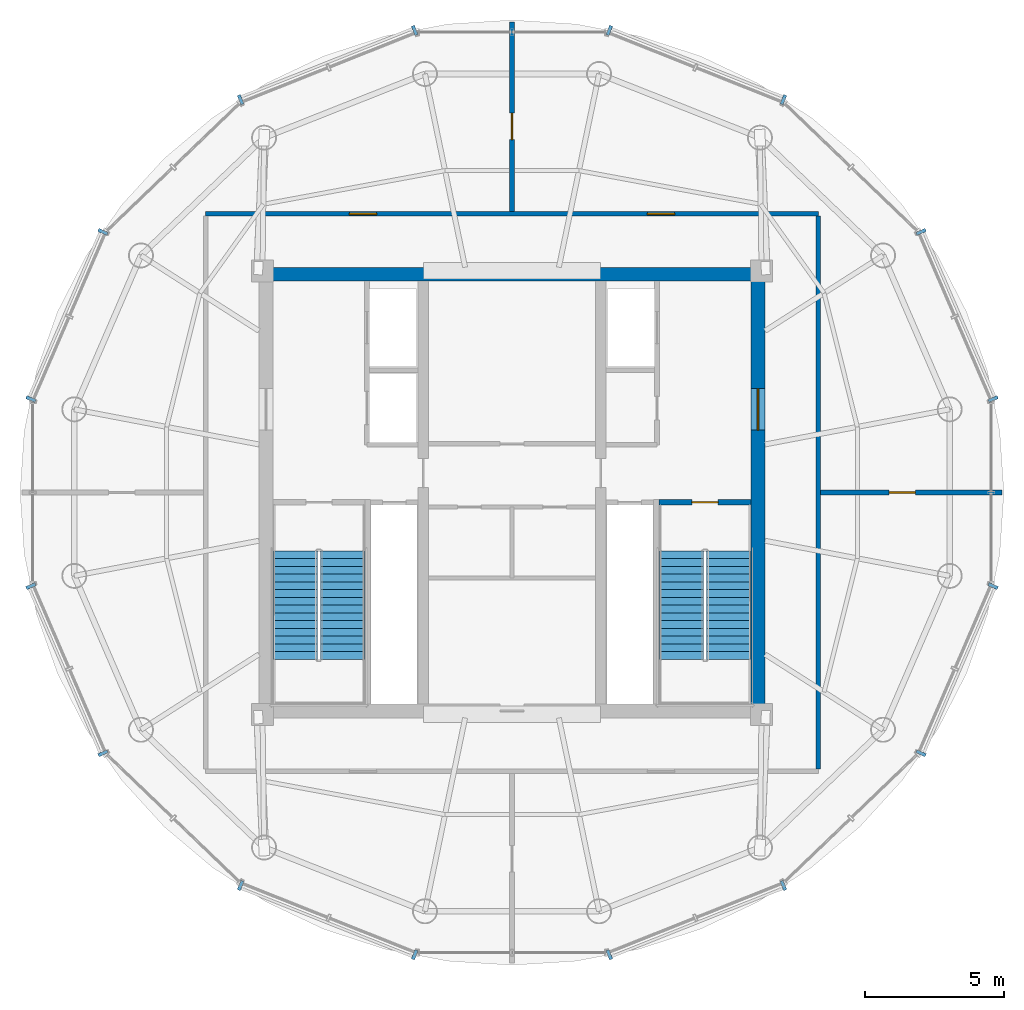
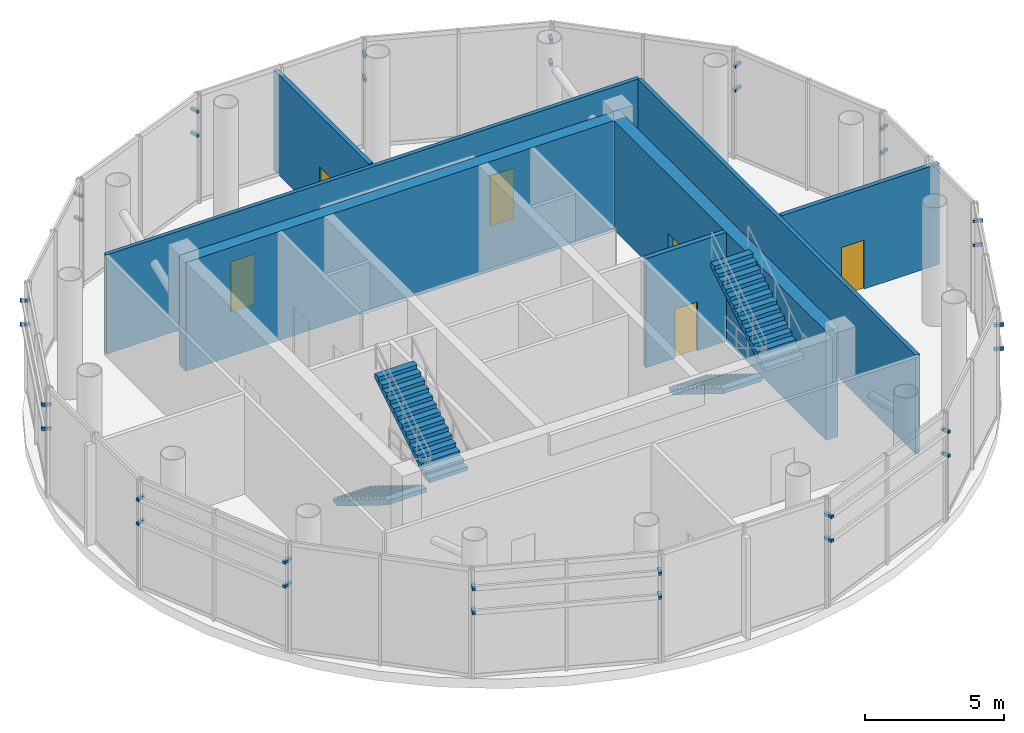
# One storey, part 13 of 15: 32 discrete accessories, 7 walls, 6 doors, 4 stair flights, 6 openings, 2 elements without a shape of their own.
"""IFC4 building model written with IfcOpenShell, lengths in metres."""

from ifc_helpers import new_model, si_unit, direction, frame, frame_2d, origin, origin_2d, place, context, subcontext, project, spatial, polyline, rectangle, outline, extrude, source, transform, mapped, material, layer, layer_set, type_object, element, fill, aggregate, save


model = new_model("IFC4")

# Units and contexts
model_context = context("Model", 3, precision=1e-05, world=origin(), true_north=direction((-0.2419218956, 0.970295726276)))
body_context = subcontext(model_context, "Body", "Model", "MODEL_VIEW")
ifc_project = project(units=[si_unit("LENGTHUNIT", "METRE"), si_unit("AREAUNIT", "SQUARE_METRE"), si_unit("VOLUMEUNIT", "CUBIC_METRE"), si_unit("PLANEANGLEUNIT", "RADIAN"), si_unit("MASSUNIT", "GRAM", prefix="KILO")], contexts=[model_context])

# Site, building, storey
site_placement = place(None, origin())
site = spatial("IfcSite", under=ifc_project, at=site_placement, CompositionType="ELEMENT")
building_placement = place(site_placement, origin())
building = spatial("IfcBuilding", under=site, at=building_placement, Name="Cobrevalo Terracotta Tower", CompositionType="ELEMENT")
storey_placement = place(building_placement, frame((0.0, 0.0, 311.300048828125)))
storey = spatial("IfcBuildingStorey", under=building, at=storey_placement, Name="L81", CompositionType="ELEMENT", Elevation=311.300048828125)

# Wall
ifc_material_1 = material(Name="Concrete C50", Category="concrete")
ifc_layer_1 = layer(ifc_material_1, 0.5)
ifc_layer_set_1 = layer_set([ifc_layer_1], Name="Concrete C50")
wall_type_1 = type_object("IfcWallType", Name="Crown core shear wall 500 mm Concrete C50", PredefinedType="SHEAR", material=ifc_layer_set_1)
wall_1_placement = place(storey_placement, frame((28.875, 34.675048828125, 0.0), z_axis=(0.0, 0.0, 1.0), x_axis=(1.0, 0.0, 0.0)))
element("IfcWall", 1, at=wall_1_placement, inside=storey, type_object=wall_type_1, Name="L81 north core shear wall", PredefinedType="SHEAR", context=body_context, shape_type="SweptSolid", body=[
    extrude(rectangle(XDim=18.25, YDim=0.5, at=frame_2d((9.125, 0.0))), origin(), (0.0, 0.0, 1.0), 4.780029296875),
])

# Wall, opening, door
wall_2_placement = place(storey_placement, frame((46.875, 19.175048828125, 0.0), z_axis=(0.0, 0.0, 1.0), x_axis=(0.0, 1.0, 0.0)))
wall_2 = element("IfcWall", 2, at=wall_2_placement, inside=storey, type_object=wall_type_1, Name="L81 east core shear wall", PredefinedType="SHEAR", context=body_context, shape_type="SweptSolid", body=[
    extrude(rectangle(XDim=15.25, YDim=0.5, at=frame_2d((7.625, 0.0))), origin(), (0.0, 0.0, 1.0), 4.780029296875),
])
opening_1_placement = place(wall_2_placement, frame((9.875, 0.0, 0.0)))
opening_1 = element("IfcOpeningElement", 3, at=opening_1_placement, cuts=wall_2, Name="Opening ID-14", PredefinedType="OPENING", context=body_context, shape_type="SweptSolid", body=[
    extrude(rectangle(XDim=1.5, YDim=2.199951171875, at=frame_2d((0.75, 1.10009765625))), frame((0.0, 0.260009765625, 0.0), z_axis=(0.0, -1.0, 0.0), x_axis=(1.0, 0.0, 0.0)), (0.0, 0.0, 1.0), 0.52001953125),
])
ifc_material_2 = material(Name="Galvanized fire-rated steel", Category="steel")
door_type_1 = type_object("IfcDoorType", Name="Core cross-lobby double fire door 1500x2200 EI 90", OperationType="NOTDEFINED", PredefinedType="DOOR", material=ifc_material_2)
shared_shape_1 = source(origin(), body_context, "Body", "SweptSolid", [
    extrude(rectangle(XDim=1.5, YDim=2.199951171875, at=frame_2d((0.75, 1.10009765625))), frame((0.0, 0.02490234375, 0.0), z_axis=(0.0, -1.0, 0.0), x_axis=(1.0, 0.0, 0.0)), (0.0, 0.0, 1.0), 0.050048828125),
])
door_1_placement = place(opening_1_placement, frame((1.5, 0.0, 0.0), z_axis=(0.0, 0.0, 1.0), x_axis=(-1.0, 0.0, 0.0)))
door_1 = element("IfcDoor", 4, at=door_1_placement, inside=storey, type_object=door_type_1, Name="L81 east firefighting lobby entrance door", OperationType="DOUBLE_DOOR_SINGLE_SWING", OverallHeight=2.199951171875, OverallWidth=1.5, PredefinedType="DOOR", context=body_context, shape_type="MappedRepresentation", body=[
    mapped(shared_shape_1, transform((0.0, 0.0, 0.0), scale=1.0)),
])
fill(opening_1, door_1)

# Wall, openings, doors
ifc_material_3 = material(Name="Gypsum board on steel stud", Category="steel")
ifc_layer_2 = layer(ifc_material_3, 0.159912109375)
ifc_layer_set_2 = layer_set([ifc_layer_2], Name="Gypsum board on steel stud")
wall_type_2 = type_object("IfcWallType", Name="Fire-rated corridor acoustic partition wall 160 mm", PredefinedType="PARTITIONING", material=ifc_layer_set_2)
wall_3_placement = place(storey_placement, frame((26.945068359375, 36.85498046875, 0.0), z_axis=(0.0, 0.0, 1.0), x_axis=(1.0, 0.0, 0.0)))
wall_3 = element("IfcWall", 5, at=wall_3_placement, inside=storey, type_object=wall_type_2, Name="L81 interior partition IW-L81-COR-N", PredefinedType="PARTITIONING", context=body_context, shape_type="SweptSolid", body=[
    extrude(rectangle(XDim=22.10986328125, YDim=0.159912109375, at=frame_2d((11.054931640625, 0.0))), origin(), (0.0, 0.0, 1.0), 4.35205078125),
])
opening_2_placement = place(wall_3_placement, frame((15.943115234375, 0.0, 0.0)))
opening_2 = element("IfcOpeningElement", 6, at=opening_2_placement, cuts=wall_3, Name="Opening ID-05", PredefinedType="OPENING", context=body_context, shape_type="SweptSolid", body=[
    extrude(rectangle(XDim=0.97998046875, YDim=2.199951171875, at=frame_2d((0.489990234375, 1.10009765625))), frame((0.0, 0.08984375, 0.0), z_axis=(0.0, -1.0, 0.0), x_axis=(1.0, 0.0, 0.0)), (0.0, 0.0, 1.0), 0.179931640625),
])
opening_3_placement = place(wall_3_placement, frame((5.18701171875, 0.0, 0.0)))
opening_3 = element("IfcOpeningElement", 7, at=opening_3_placement, cuts=wall_3, Name="Opening ID-05", PredefinedType="OPENING", context=body_context, shape_type="SweptSolid", body=[
    extrude(rectangle(XDim=0.97998046875, YDim=2.199951171875, at=frame_2d((0.489990234375, 1.10009765625))), frame((0.0, 0.08984375, 0.0), z_axis=(0.0, -1.0, 0.0), x_axis=(1.0, 0.0, 0.0)), (0.0, 0.0, 1.0), 0.179931640625),
])
ifc_material_4 = material(Name="Solid hardwood timber", Category="wood")
door_type_2 = type_object("IfcDoorType", Name="Residence entrance fire-rated acoustic timber door 980x2200 EI 60", OperationType="NOTDEFINED", PredefinedType="DOOR", material=ifc_material_4)
shared_shape_2 = source(origin(), body_context, "Body", "SweptSolid", [
    extrude(rectangle(XDim=0.97998046875, YDim=2.199951171875, at=frame_2d((0.489990234375, 1.10009765625))), frame((0.0, 0.02490234375, 0.0), z_axis=(0.0, -1.0, 0.0), x_axis=(1.0, 0.0, 0.0)), (0.0, 0.0, 1.0), 0.050048828125),
])
door_2_placement = place(opening_2_placement, origin())
door_2 = element("IfcDoor", 8, at=door_2_placement, inside=storey, type_object=door_type_2, Name="L81 Crown Cooling Tower Plant door", OperationType="SINGLE_SWING_RIGHT", OverallHeight=2.199951171875, OverallWidth=0.97998046875, PredefinedType="DOOR", context=body_context, shape_type="MappedRepresentation", body=[
    mapped(shared_shape_2, transform((0.0, 0.0, 0.0), scale=1.0)),
])
fill(opening_2, door_2)
door_3_placement = place(opening_3_placement, origin())
door_3 = element("IfcDoor", 9, at=door_3_placement, inside=storey, type_object=door_type_2, Name="L81 Crown Chiller Plant door", OperationType="SINGLE_SWING_LEFT", OverallHeight=2.199951171875, OverallWidth=0.97998046875, PredefinedType="DOOR", context=body_context, shape_type="MappedRepresentation", body=[
    mapped(shared_shape_2, transform((0.0, 0.0, 0.0), scale=1.0)),
])
fill(opening_3, door_3)

# Wall
wall_4_placement = place(storey_placement, frame((49.054931640625, 16.824951171875, 0.0), z_axis=(0.0, 0.0, 1.0), x_axis=(0.0, 1.0, 0.0)))
element("IfcWall", 10, at=wall_4_placement, inside=storey, type_object=wall_type_2, Name="L81 interior partition IW-L81-COR-E", PredefinedType="PARTITIONING", context=body_context, shape_type="SweptSolid", body=[
    extrude(rectangle(XDim=19.949951171875, YDim=0.159912109375, at=frame_2d((9.97509765625, 0.0))), origin(), (0.0, 0.0, 1.0), 4.35205078125),
])

# Wall, opening, door
ifc_layer_3 = layer(ifc_material_3, 0.179931640625)
ifc_layer_set_3 = layer_set([ifc_layer_3], Name="Gypsum board on steel stud")
wall_type_3 = type_object("IfcWallType", Name="Fire-rated shaft & lobby acoustic partition wall 180 mm", PredefinedType="PARTITIONING", material=ifc_layer_set_3)
wall_5_placement = place(storey_placement, frame((49.136962890625, 26.800048828125, 0.0), z_axis=(0.0, 0.0, 1.0), x_axis=(1.0, 0.0, 0.0)))
wall_5 = element("IfcWall", 11, at=wall_5_placement, inside=storey, type_object=wall_type_3, Name="L81 interior partition IW-L81-CW1", PredefinedType="PARTITIONING", context=body_context, shape_type="SweptSolid", body=[
    extrude(rectangle(XDim=6.532958984375, YDim=0.179931640625, at=frame_2d((3.2666015625, 0.0))), origin(), (0.0, 0.0, 1.0), 4.410888671875),
])
opening_4_placement = place(wall_5_placement, frame((2.46484375, 0.0, 0.0)))
opening_4 = element("IfcOpeningElement", 12, at=opening_4_placement, cuts=wall_5, Name="Opening ID-04", PredefinedType="OPENING", context=body_context, shape_type="SweptSolid", body=[
    extrude(rectangle(XDim=0.949951171875, YDim=2.14990234375, at=frame_2d((0.47509765625, 1.074951171875))), frame((0.0, 0.10009765625, 0.0), z_axis=(0.0, -1.0, 0.0), x_axis=(1.0, 0.0, 0.0)), (0.0, 0.0, 1.0), 0.199951171875),
])
door_type_3 = type_object("IfcDoorType", Name="Stair & firefighting lobby fire door 950x2150 EI 90", OperationType="NOTDEFINED", PredefinedType="DOOR", material=ifc_material_2)
shared_shape_3 = source(origin(), body_context, "Body", "SweptSolid", [
    extrude(rectangle(XDim=0.949951171875, YDim=2.14990234375, at=frame_2d((0.47509765625, 1.074951171875))), frame((0.0, 0.02490234375, 0.0), z_axis=(0.0, -1.0, 0.0), x_axis=(1.0, 0.0, 0.0)), (0.0, 0.0, 1.0), 0.050048828125),
])
door_4_placement = place(opening_4_placement, origin())
door_4 = element("IfcDoor", 13, at=door_4_placement, inside=storey, type_object=door_type_3, Name="L81 crown plant interconnecting fire door 1", OperationType="SINGLE_SWING_LEFT", OverallHeight=2.14990234375, OverallWidth=0.949951171875, PredefinedType="DOOR", context=body_context, shape_type="MappedRepresentation", body=[
    mapped(shared_shape_3, transform((0.0, 0.0, 0.0), scale=1.0)),
])
fill(opening_4, door_4)

wall_6_placement = place(storey_placement, frame((38.0, 36.93701171875, 0.0), z_axis=(0.0, 0.0, 1.0), x_axis=(0.0, 1.0, 0.0)))
wall_6 = element("IfcWall", 14, at=wall_6_placement, inside=storey, type_object=wall_type_3, Name="L81 interior partition IW-L81-CW2", PredefinedType="PARTITIONING", context=body_context, shape_type="SweptSolid", body=[
    extrude(rectangle(XDim=6.8330078125, YDim=0.179931640625, at=frame_2d((3.41650390625, 0.0))), origin(), (0.0, 0.0, 1.0), 4.410888671875),
])
opening_5_placement = place(wall_6_placement, frame((2.599853515625, 0.0, 0.0)))
opening_5 = element("IfcOpeningElement", 15, at=opening_5_placement, cuts=wall_6, Name="Opening ID-04", PredefinedType="OPENING", context=body_context, shape_type="SweptSolid", body=[
    extrude(rectangle(XDim=0.949951171875, YDim=2.14990234375, at=frame_2d((0.47509765625, 1.074951171875))), frame((0.0, 0.10009765625, 0.0), z_axis=(0.0, -1.0, 0.0), x_axis=(1.0, 0.0, 0.0)), (0.0, 0.0, 1.0), 0.199951171875),
])
door_5_placement = place(opening_5_placement, origin())
door_5 = element("IfcDoor", 16, at=door_5_placement, inside=storey, type_object=door_type_3, Name="L81 crown plant interconnecting fire door 2", OperationType="SINGLE_SWING_LEFT", OverallHeight=2.14990234375, OverallWidth=0.949951171875, PredefinedType="DOOR", context=body_context, shape_type="MappedRepresentation", body=[
    mapped(shared_shape_3, transform((0.0, 0.0, 0.0), scale=1.0)),
])
fill(opening_5, door_5)

ifc_layer_4 = layer(ifc_material_1, 0.199951171875)
ifc_layer_set_4 = layer_set([ifc_layer_4], Name="Concrete C50")
wall_type_4 = type_object("IfcWallType", Name="Structural core & podium stair-shaft RC wall 200 mm Concrete C50", PredefinedType="SOLIDWALL", material=ifc_layer_set_4)
wall_7_placement = place(storey_placement, frame((43.304931640625, 26.449951171875, 0.0), z_axis=(0.0, 0.0, 1.0), x_axis=(1.0, 0.0, 0.0)))
wall_7 = element("IfcWall", 17, at=wall_7_placement, inside=storey, type_object=wall_type_4, Name="L81 ST-2 north structural shaft wall", PredefinedType="SOLIDWALL", context=body_context, shape_type="SweptSolid", body=[
    extrude(rectangle(XDim=3.320068359375, YDim=0.199951171875, at=frame_2d((1.66015625, 0.0))), origin(), (0.0, 0.0, 1.0), 4.780029296875),
])
opening_6_placement = place(wall_7_placement, frame((1.18505859375, 0.0, 0.0)))
opening_6 = element("IfcOpeningElement", 18, at=opening_6_placement, cuts=wall_7, Name="Opening ID-04", PredefinedType="OPENING", context=body_context, shape_type="SweptSolid", body=[
    extrude(rectangle(XDim=0.949951171875, YDim=2.14990234375, at=frame_2d((0.47509765625, 1.074951171875))), frame((0.0, 0.10986328125, 0.0), z_axis=(0.0, -1.0, 0.0), x_axis=(1.0, 0.0, 0.0)), (0.0, 0.0, 1.0), 0.219970703125),
])
door_6_placement = place(opening_6_placement, frame((0.949951171875, 0.0, 0.0), z_axis=(0.0, 0.0, 1.0), x_axis=(-1.0, 0.0, 0.0)))
door_6 = element("IfcDoor", 19, at=door_6_placement, inside=storey, type_object=door_type_3, Name="L81 protected stair ST2 fire door", OperationType="SINGLE_SWING_RIGHT", OverallHeight=2.14990234375, OverallWidth=0.949951171875, PredefinedType="DOOR", context=body_context, shape_type="MappedRepresentation", body=[
    mapped(shared_shape_3, transform((0.0, 0.0, 0.0), scale=1.0)),
])
fill(opening_6, door_6)

# Stair, stair flights
stair_type = type_object("IfcStairType", Name="Core protected escape dogleg stair 1600", PredefinedType="HALF_TURN_STAIR", material=ifc_material_1)
stair_1_placement = place(storey_placement, origin())
stair_1 = element("IfcStair", 20, at=stair_1_placement, inside=storey, type_object=stair_type, Name="L81 Protected exit stair ST-1", PredefinedType="HALF_TURN_STAIR")
stair_flight_type = type_object("IfcStairFlightType", Name="Core protected escape dogleg stair 1600 flight", PredefinedType="STRAIGHT", material=ifc_material_1)
stair_flight_1_placement = place(storey_placement, frame((30.175048828125, 24.699951171875, 0.0), z_axis=(0.0, 0.0, 1.0), x_axis=(0.0, -1.0, 0.0)))
stair_flight_1 = element("IfcStairFlight", 21, at=stair_flight_1_placement, type_object=stair_flight_type, Name="ST-1 flight 1", NumberOfRisers=15, NumberOfTreads=14, PredefinedType="STRAIGHT", RiserHeight=0.173333333, TreadLength=0.28, context=body_context, shape_type="SweptSolid", body=[
    extrude(outline(polyline([(0.0, 0.0), (0.0, 0.17333984375), (0.280029296875, 0.17333984375), (0.280029296875, 0.3466796875), (0.56005859375, 0.3466796875), (0.56005859375, 0.52001953125), (0.840087890625, 0.52001953125), (0.840087890625, 0.693359375), (1.1201171875, 0.693359375), (1.1201171875, 0.86669921875), (1.39990234375, 0.86669921875), (1.39990234375, 1.0400390625), (1.679931640625, 1.0400390625), (1.679931640625, 1.21337890625), (1.9599609375, 1.21337890625), (1.9599609375, 1.38671875), (2.239990234375, 1.38671875), (2.239990234375, 1.56005859375), (2.52001953125, 1.56005859375), (2.52001953125, 1.7333984375), (2.800048828125, 1.7333984375), (2.800048828125, 1.90673828125), (3.080078125, 1.90673828125), (3.080078125, 2.080078125), (3.360107421875, 2.080078125), (3.360107421875, 2.25341796875), (3.639892578125, 2.25341796875), (3.639892578125, 2.4267578125), (3.919921875, 2.4267578125), (3.919921875, 2.60009765625), (3.919921875, 2.238525390625), (0.3037109375, 0.0), (0.0, 0.0)])), frame((0.0, 0.800048828125, 0.0), z_axis=(0.0, -1.0, 0.0), x_axis=(1.0, 0.0, 0.0)), (0.0, 0.0, 1.0), 1.60009765625),
])
stair_flight_2_placement = place(storey_placement, frame((31.89501953125, 20.780029296875, 2.599853515625), z_axis=(0.0, 0.0, 1.0), x_axis=(0.0, 1.0, 0.0)))
stair_flight_2 = element("IfcStairFlight", 22, at=stair_flight_2_placement, type_object=stair_flight_type, Name="ST-1 flight 2", NumberOfRisers=15, NumberOfTreads=14, PredefinedType="STRAIGHT", RiserHeight=0.173333333, TreadLength=0.28, context=body_context, shape_type="SweptSolid", body=[
    extrude(outline(polyline([(0.0, 0.0), (0.0, 0.17333984375), (0.280029296875, 0.17333984375), (0.280029296875, 0.3466796875), (0.56005859375, 0.3466796875), (0.56005859375, 0.52001953125), (0.840087890625, 0.52001953125), (0.840087890625, 0.693359375), (1.1201171875, 0.693359375), (1.1201171875, 0.86669921875), (1.39990234375, 0.86669921875), (1.39990234375, 1.0400390625), (1.679931640625, 1.0400390625), (1.679931640625, 1.21337890625), (1.9599609375, 1.21337890625), (1.9599609375, 1.38671875), (2.239990234375, 1.38671875), (2.239990234375, 1.56005859375), (2.52001953125, 1.56005859375), (2.52001953125, 1.7333984375), (2.800048828125, 1.7333984375), (2.800048828125, 1.90673828125), (3.080078125, 1.90673828125), (3.080078125, 2.080078125), (3.360107421875, 2.080078125), (3.360107421875, 2.25341796875), (3.639892578125, 2.25341796875), (3.639892578125, 2.4267578125), (3.919921875, 2.4267578125), (3.919921875, 2.60009765625), (3.919921875, 2.238525390625), (0.3037109375, 0.0), (0.0, 0.0)])), frame((0.0, 0.800048828125, 0.0), z_axis=(0.0, -1.0, 0.0), x_axis=(1.0, 0.0, 0.0)), (0.0, 0.0, 1.0), 1.60009765625),
])
aggregate(stair_1, [stair_flight_1, stair_flight_2])

stair_2_placement = place(storey_placement, origin())
stair_2 = element("IfcStair", 23, at=stair_2_placement, inside=storey, type_object=stair_type, Name="L81 Protected exit stair ST-2", PredefinedType="HALF_TURN_STAIR")
stair_flight_3_placement = place(storey_placement, frame((44.10498046875, 24.699951171875, 0.0), z_axis=(0.0, 0.0, 1.0), x_axis=(0.0, -1.0, 0.0)))
stair_flight_3 = element("IfcStairFlight", 24, at=stair_flight_3_placement, type_object=stair_flight_type, Name="ST-2 flight 1", NumberOfRisers=15, NumberOfTreads=14, PredefinedType="STRAIGHT", RiserHeight=0.173333333, TreadLength=0.28, context=body_context, shape_type="SweptSolid", body=[
    extrude(outline(polyline([(0.0, 0.0), (0.0, 0.17333984375), (0.280029296875, 0.17333984375), (0.280029296875, 0.3466796875), (0.56005859375, 0.3466796875), (0.56005859375, 0.52001953125), (0.840087890625, 0.52001953125), (0.840087890625, 0.693359375), (1.1201171875, 0.693359375), (1.1201171875, 0.86669921875), (1.39990234375, 0.86669921875), (1.39990234375, 1.0400390625), (1.679931640625, 1.0400390625), (1.679931640625, 1.21337890625), (1.9599609375, 1.21337890625), (1.9599609375, 1.38671875), (2.239990234375, 1.38671875), (2.239990234375, 1.56005859375), (2.52001953125, 1.56005859375), (2.52001953125, 1.7333984375), (2.800048828125, 1.7333984375), (2.800048828125, 1.90673828125), (3.080078125, 1.90673828125), (3.080078125, 2.080078125), (3.360107421875, 2.080078125), (3.360107421875, 2.25341796875), (3.639892578125, 2.25341796875), (3.639892578125, 2.4267578125), (3.919921875, 2.4267578125), (3.919921875, 2.60009765625), (3.919921875, 2.238525390625), (0.3037109375, 0.0), (0.0, 0.0)])), frame((0.0, 0.800048828125, 0.0), z_axis=(0.0, -1.0, 0.0), x_axis=(1.0, 0.0, 0.0)), (0.0, 0.0, 1.0), 1.60009765625),
])
stair_flight_4_placement = place(storey_placement, frame((45.824951171875, 20.780029296875, 2.599853515625), z_axis=(0.0, 0.0, 1.0), x_axis=(0.0, 1.0, 0.0)))
stair_flight_4 = element("IfcStairFlight", 25, at=stair_flight_4_placement, type_object=stair_flight_type, Name="ST-2 flight 2", NumberOfRisers=15, NumberOfTreads=14, PredefinedType="STRAIGHT", RiserHeight=0.173333333, TreadLength=0.28, context=body_context, shape_type="SweptSolid", body=[
    extrude(outline(polyline([(0.0, 0.0), (0.0, 0.17333984375), (0.280029296875, 0.17333984375), (0.280029296875, 0.3466796875), (0.56005859375, 0.3466796875), (0.56005859375, 0.52001953125), (0.840087890625, 0.52001953125), (0.840087890625, 0.693359375), (1.1201171875, 0.693359375), (1.1201171875, 0.86669921875), (1.39990234375, 0.86669921875), (1.39990234375, 1.0400390625), (1.679931640625, 1.0400390625), (1.679931640625, 1.21337890625), (1.9599609375, 1.21337890625), (1.9599609375, 1.38671875), (2.239990234375, 1.38671875), (2.239990234375, 1.56005859375), (2.52001953125, 1.56005859375), (2.52001953125, 1.7333984375), (2.800048828125, 1.7333984375), (2.800048828125, 1.90673828125), (3.080078125, 1.90673828125), (3.080078125, 2.080078125), (3.360107421875, 2.080078125), (3.360107421875, 2.25341796875), (3.639892578125, 2.25341796875), (3.639892578125, 2.4267578125), (3.919921875, 2.4267578125), (3.919921875, 2.60009765625), (3.919921875, 2.238525390625), (0.3037109375, 0.0), (0.0, 0.0)])), frame((0.0, 0.800048828125, 0.0), z_axis=(0.0, -1.0, 0.0), x_axis=(1.0, 0.0, 0.0)), (0.0, 0.0, 1.0), 1.60009765625),
])
aggregate(stair_2, [stair_flight_3, stair_flight_4])

# Discrete accessories
ifc_material_5 = material(Name="Brushed stainless steel", Category="steel")
ifc_layer_5 = layer(ifc_material_5, 0.1201171875)
ifc_layer_set_5 = layer_set([ifc_layer_5], Name="Brushed stainless steel")
discrete_accessory_type = type_object("IfcDiscreteAccessoryType", Name="Stainless Steel Facade & Canopy Support Bracket", PredefinedType="BRACKET", material=ifc_layer_set_5)
shared_shape_4 = source(origin(), body_context, "Body", "SweptSolid", [
    extrude(rectangle(XDim=0.1201171875, YDim=0.360107421875, at=origin_2d()), origin(), (0.0, 0.0, 1.0), 0.1201171875),
])
for number, where, z_axis, x_axis, name in (
    (26, (55.358154296875, 30.17529296875, 2.903564453125), (0.0, 0.0, 1.0), (-0.396066411085, 0.91822186753, 0.0), "CW-CRN-L81-S01 stainless baguette support bracket 1-A"),
    (27, (52.75732421875, 36.204833984375, 2.903564453125), (0.0, 0.0, 1.0), (-0.396066411085, 0.91822186753, 0.0), "CW-CRN-L81-S01 stainless baguette support bracket 1-B"),
    (28, (55.358154296875, 30.17529296875, 3.955078125), (0.0, 0.0, 1.0), (-0.396066411085, 0.91822186753, 0.0), "CW-CRN-L81-S01 stainless baguette support bracket 2-A"),
    (29, (52.75732421875, 36.204833984375, 3.955078125), (0.0, 0.0, 1.0), (-0.396066411085, 0.91822186753, 0.0), "CW-CRN-L81-S01 stainless baguette support bracket 2-B"),
    (30, (47.790771484375, 40.97509765625, 2.903564453125), (0.0, 0.0, 1.0), (-0.929190639756, 0.36960080491, 0.0), "CW-CRN-L81-S03 stainless baguette support bracket 1-A"),
    (31, (41.509765625, 43.4736328125, 2.903564453125), (0.0, 0.0, 1.0), (-0.929190639756, 0.36960080491, 0.0), "CW-CRN-L81-S03 stainless baguette support bracket 1-B"),
    (32, (47.790771484375, 40.97509765625, 3.955078125), (0.0, 0.0, 1.0), (-0.929190639756, 0.36960080491, 0.0), "CW-CRN-L81-S03 stainless baguette support bracket 2-A"),
    (33, (41.509765625, 43.4736328125, 3.955078125), (0.0, 0.0, 1.0), (-0.929190639756, 0.36960080491, 0.0), "CW-CRN-L81-S03 stainless baguette support bracket 2-B"),
    (34, (34.490234375, 43.4736328125, 2.903564453125), (0.0, 0.0, 1.0), (-0.929190639756, -0.36960080491, 0.0), "CW-CRN-L81-S05 stainless baguette support bracket 1-A"),
    (35, (28.209228515625, 40.97509765625, 2.903564453125), (0.0, 0.0, 1.0), (-0.929190639756, -0.36960080491, 0.0), "CW-CRN-L81-S05 stainless baguette support bracket 1-B"),
    (36, (34.490234375, 43.4736328125, 3.955078125), (0.0, 0.0, 1.0), (-0.929190639756, -0.36960080491, 0.0), "CW-CRN-L81-S05 stainless baguette support bracket 2-A"),
    (37, (28.209228515625, 40.97509765625, 3.955078125), (0.0, 0.0, 1.0), (-0.929190639756, -0.36960080491, 0.0), "CW-CRN-L81-S05 stainless baguette support bracket 2-B"),
    (38, (23.24267578125, 36.204833984375, 2.903564453125), (0.0, 0.0, 1.0), (-0.396066411085, -0.91822186753, 0.0), "CW-CRN-L81-S07 stainless baguette support bracket 1-A"),
    (39, (20.641845703125, 30.17529296875, 2.903564453125), (0.0, 0.0, 1.0), (-0.396066411085, -0.91822186753, 0.0), "CW-CRN-L81-S07 stainless baguette support bracket 1-B"),
    (40, (23.24267578125, 36.204833984375, 3.955078125), (0.0, 0.0, 1.0), (-0.396066411085, -0.91822186753, 0.0), "CW-CRN-L81-S07 stainless baguette support bracket 2-A"),
    (41, (20.641845703125, 30.17529296875, 3.955078125), (0.0, 0.0, 1.0), (-0.396066411085, -0.91822186753, 0.0), "CW-CRN-L81-S07 stainless baguette support bracket 2-B"),
    (42, (20.641845703125, 23.4248046875, 2.903564453125), (0.0, 0.0, 1.0), (0.396066411085, -0.91822186753, 0.0), "CW-CRN-L81-S09 stainless baguette support bracket 1-A"),
    (43, (23.24267578125, 17.395263671875, 2.903564453125), (0.0, 0.0, 1.0), (0.396066411085, -0.91822186753, 0.0), "CW-CRN-L81-S09 stainless baguette support bracket 1-B"),
    (44, (20.641845703125, 23.4248046875, 3.955078125), (0.0, 0.0, 1.0), (0.396066411085, -0.91822186753, 0.0), "CW-CRN-L81-S09 stainless baguette support bracket 2-A"),
    (45, (23.24267578125, 17.395263671875, 3.955078125), (0.0, 0.0, 1.0), (0.396066411085, -0.91822186753, 0.0), "CW-CRN-L81-S09 stainless baguette support bracket 2-B"),
    (46, (28.209228515625, 12.624755859375, 2.903564453125), (0.0, 0.0, 1.0), (0.929190639756, -0.36960080491, 0.0), "CW-CRN-L81-S11 stainless baguette support bracket 1-A"),
    (47, (34.490234375, 10.12646484375, 2.903564453125), (0.0, 0.0, 1.0), (0.929190639756, -0.36960080491, 0.0), "CW-CRN-L81-S11 stainless baguette support bracket 1-B"),
    (48, (28.209228515625, 12.624755859375, 3.955078125), (0.0, 0.0, 1.0), (0.929190639756, -0.36960080491, 0.0), "CW-CRN-L81-S11 stainless baguette support bracket 2-A"),
    (49, (34.490234375, 10.12646484375, 3.955078125), (0.0, 0.0, 1.0), (0.929190639756, -0.36960080491, 0.0), "CW-CRN-L81-S11 stainless baguette support bracket 2-B"),
    (50, (41.509765625, 10.12646484375, 2.903564453125), (0.0, 0.0, 1.0), (0.929190639756, 0.36960080491, 0.0), "CW-CRN-L81-S13 stainless baguette support bracket 1-A"),
    (51, (47.790771484375, 12.624755859375, 2.903564453125), (0.0, 0.0, 1.0), (0.929190639756, 0.36960080491, 0.0), "CW-CRN-L81-S13 stainless baguette support bracket 1-B"),
    (52, (41.509765625, 10.12646484375, 3.955078125), (0.0, 0.0, 1.0), (0.929190639756, 0.36960080491, 0.0), "CW-CRN-L81-S13 stainless baguette support bracket 2-A"),
    (53, (47.790771484375, 12.624755859375, 3.955078125), (0.0, 0.0, 1.0), (0.929190639756, 0.36960080491, 0.0), "CW-CRN-L81-S13 stainless baguette support bracket 2-B"),
    (54, (52.75732421875, 17.395263671875, 2.903564453125), (0.0, 0.0, 1.0), (0.396066411085, 0.91822186753, 0.0), "CW-CRN-L81-S15 stainless baguette support bracket 1-A"),
    (55, (55.358154296875, 23.4248046875, 2.903564453125), (0.0, 0.0, 1.0), (0.396066411085, 0.91822186753, 0.0), "CW-CRN-L81-S15 stainless baguette support bracket 1-B"),
    (56, (52.75732421875, 17.395263671875, 3.955078125), (0.0, 0.0, 1.0), (0.396066411085, 0.91822186753, 0.0), "CW-CRN-L81-S15 stainless baguette support bracket 2-A"),
    (57, (55.358154296875, 23.4248046875, 3.955078125), (0.0, 0.0, 1.0), (0.396066411085, 0.91822186753, 0.0), "CW-CRN-L81-S15 stainless baguette support bracket 2-B"),
):
    element("IfcDiscreteAccessory", number, at=place(storey_placement, frame(where, z_axis=z_axis, x_axis=x_axis)), inside=storey, type_object=discrete_accessory_type, Name=name, PredefinedType="BRACKET", context=body_context, shape_type="MappedRepresentation", body=[
        mapped(shared_shape_4, transform((0.0, 0.0, 0.0), scale=1.0)),
    ])

save(model, "model.ifc")
